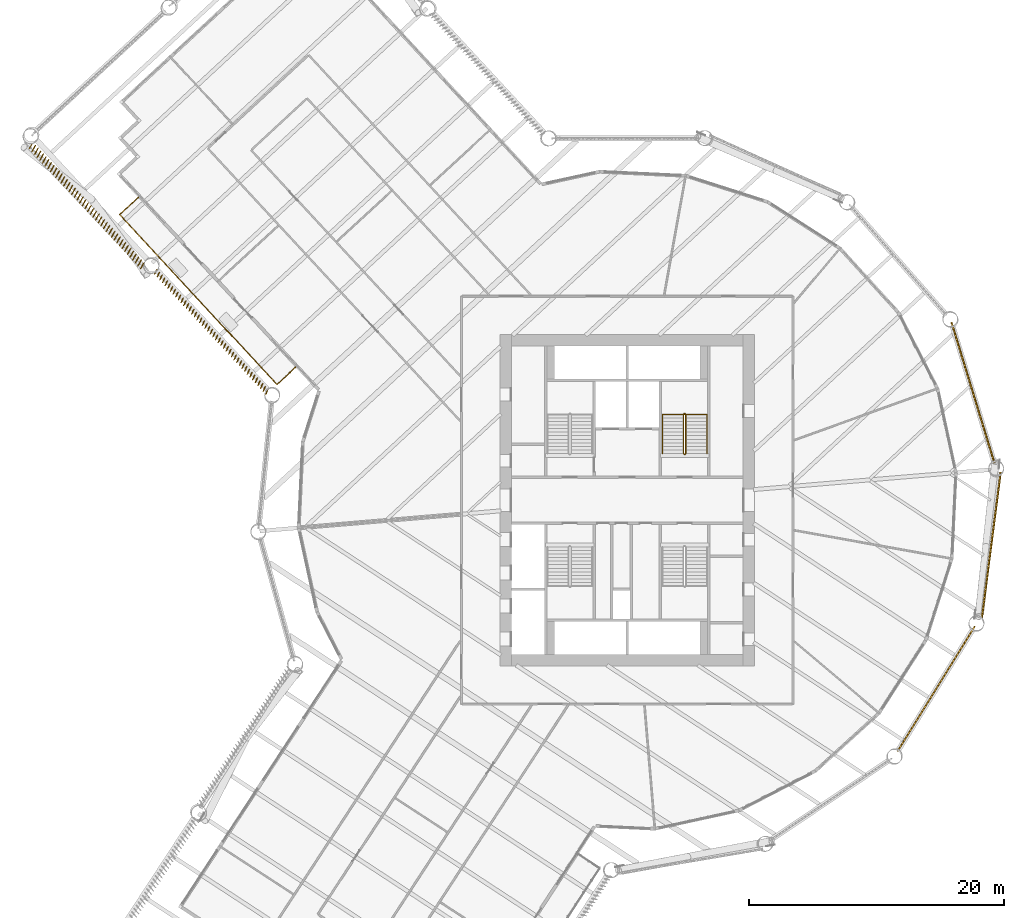
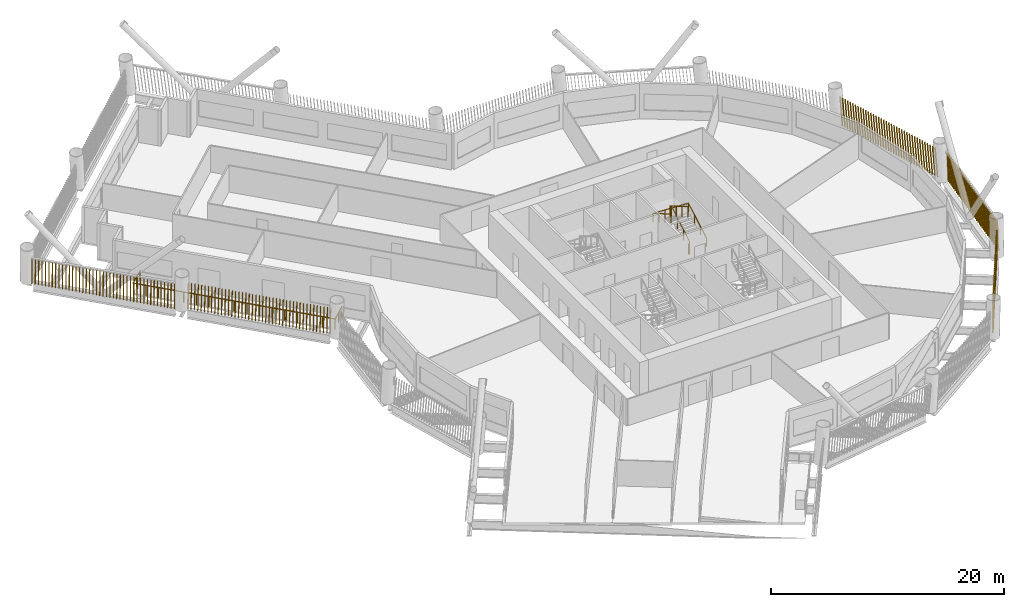
# One storey, part 20 of 22: 5 shading devices, 3 railings.
"""IFC4 building model written with IfcOpenShell, lengths in metres."""

from ifc_helpers import new_model, si_unit, direction, frame, frame_2d, origin, origin_2d, place, context, subcontext, project, spatial, rectangle, circle, composite_profile, extrude, material, type_object, element, save


model = new_model("IFC4")

# Units and contexts
model_context = context("Model", 3, precision=1e-05, world=origin(), true_north=direction((0.0, 1.0)))
body_context = subcontext(model_context, "Body", "Model", "MODEL_VIEW")
ifc_project = project(units=[si_unit("LENGTHUNIT", "METRE"), si_unit("AREAUNIT", "SQUARE_METRE"), si_unit("VOLUMEUNIT", "CUBIC_METRE"), si_unit("PLANEANGLEUNIT", "RADIAN"), si_unit("MASSUNIT", "GRAM", prefix="KILO")], contexts=[model_context])

# Site, building, storey
site_placement = place(None, origin())
site = spatial("IfcSite", under=ifc_project, at=site_placement, CompositionType="ELEMENT")
building_placement = place(site_placement, origin())
building = spatial("IfcBuilding", under=site, at=building_placement, Name="Tarsis Ring Headquarters", CompositionType="ELEMENT")
storey_placement = place(building_placement, frame((0.0, 0.0, 63.39990234375)))
storey = spatial("IfcBuildingStorey", under=building, at=storey_placement, Name="L13", CompositionType="ELEMENT", Elevation=63.39990234375)

# Railings
ifc_material_1 = material(Name="Stainless steel guard", Category="steel")
railing_type_1 = type_object("IfcRailingType", Name="Balcony balustrade with mesh infill 1100", PredefinedType="BALUSTRADE", material=ifc_material_1)
railing_1_placement = place(storey_placement, frame((-38.3603515625, 23.763916015625, 0.0)))
element("IfcRailing", 1, at=railing_1_placement, inside=storey, type_object=railing_type_1, Name="Balcony balustrade L13-01", PredefinedType="BALUSTRADE", context=body_context, shape_type="SweptSolid", body=[
    extrude(circle(Radius=0.030029296875, at=origin_2d()), frame((0.0, 0.0, 1.070068359375), z_axis=(-0.733744897063, -0.679425070213, 0.0), x_axis=(0.679425070213, -0.733744897063, 0.0)), (0.0, 0.0, 1.0), 2.0),
    extrude(circle(Radius=0.030029296875, at=origin_2d()), frame((-1.467529296875, -1.35888671875, 1.070068359375), z_axis=(0.679439911934, -0.73373115381, 0.0), x_axis=(0.73373115381, 0.679439911934, 0.0)), (0.0, 0.0, 1.0), 18.171875),
    extrude(circle(Radius=0.030029296875, at=origin_2d()), frame((10.879150390625, -14.692138671875, 1.070068359375), z_axis=(0.733744897063, 0.679425070213, 0.0), x_axis=(-0.679425070213, 0.733744897063, 0.0)), (0.0, 0.0, 1.0), 2.0),
    extrude(circle(Radius=0.02490234375, at=origin_2d()), origin(), (0.0, 0.0, 1.0), 1.0400390625),
    extrude(circle(Radius=0.02490234375, at=origin_2d()), frame((-0.73388671875, -0.679443359375, 0.0)), (0.0, 0.0, 1.0), 1.0400390625),
    extrude(circle(Radius=0.02490234375, at=origin_2d()), frame((-1.467529296875, -1.35888671875, 0.0)), (0.0, 0.0, 1.0), 1.0400390625),
    extrude(circle(Radius=0.02490234375, at=origin_2d()), frame((-0.69580078125, -2.192138671875, 0.0)), (0.0, 0.0, 1.0), 1.0400390625),
    extrude(circle(Radius=0.02490234375, at=origin_2d()), frame((0.07568359375, -3.025634765625, 0.0)), (0.0, 0.0, 1.0), 1.0400390625),
    extrude(circle(Radius=0.02490234375, at=origin_2d()), frame((0.847412109375, -3.85888671875, 0.0)), (0.0, 0.0, 1.0), 1.0400390625),
    extrude(circle(Radius=0.02490234375, at=origin_2d()), frame((1.619140625, -4.692138671875, 0.0)), (0.0, 0.0, 1.0), 1.0400390625),
    extrude(circle(Radius=0.02490234375, at=origin_2d()), frame((2.390869140625, -5.525634765625, 0.0)), (0.0, 0.0, 1.0), 1.0400390625),
    extrude(circle(Radius=0.02490234375, at=origin_2d()), frame((3.16259765625, -6.35888671875, 0.0)), (0.0, 0.0, 1.0), 1.0400390625),
    extrude(circle(Radius=0.02490234375, at=origin_2d()), frame((3.93408203125, -7.192138671875, 0.0)), (0.0, 0.0, 1.0), 1.0400390625),
    extrude(circle(Radius=0.02490234375, at=origin_2d()), frame((4.705810546875, -8.025390625, 0.0)), (0.0, 0.0, 1.0), 1.0400390625),
    extrude(circle(Radius=0.02490234375, at=origin_2d()), frame((5.4775390625, -8.85888671875, 0.0)), (0.0, 0.0, 1.0), 1.0400390625),
    extrude(circle(Radius=0.02490234375, at=origin_2d()), frame((6.2490234375, -9.692138671875, 0.0)), (0.0, 0.0, 1.0), 1.0400390625),
    extrude(circle(Radius=0.02490234375, at=origin_2d()), frame((7.020751953125, -10.525390625, 0.0)), (0.0, 0.0, 1.0), 1.0400390625),
    extrude(circle(Radius=0.02490234375, at=origin_2d()), frame((7.79248046875, -11.35888671875, 0.0)), (0.0, 0.0, 1.0), 1.0400390625),
    extrude(circle(Radius=0.02490234375, at=origin_2d()), frame((8.564208984375, -12.192138671875, 0.0)), (0.0, 0.0, 1.0), 1.0400390625),
    extrude(circle(Radius=0.02490234375, at=origin_2d()), frame((9.3359375, -13.025390625, 0.0)), (0.0, 0.0, 1.0), 1.0400390625),
    extrude(circle(Radius=0.02490234375, at=origin_2d()), frame((10.107421875, -13.85888671875, 0.0)), (0.0, 0.0, 1.0), 1.0400390625),
    extrude(circle(Radius=0.02490234375, at=origin_2d()), frame((10.879150390625, -14.692138671875, 0.0)), (0.0, 0.0, 1.0), 1.0400390625),
    extrude(circle(Radius=0.02490234375, at=origin_2d()), frame((11.61279296875, -14.0126953125, 0.0)), (0.0, 0.0, 1.0), 1.0400390625),
    extrude(circle(Radius=0.02490234375, at=origin_2d()), frame((12.3466796875, -13.333251953125, 0.0)), (0.0, 0.0, 1.0), 1.0400390625),
])
ifc_material_2 = material(Name="Steel S355", Category="steel")
railing_type_2 = type_object("IfcRailingType", Name="Core stair guard 1100", PredefinedType="GUARDRAIL", material=ifc_material_2)
railing_2_placement = place(storey_placement, frame((4.4599609375, 3.610107421875, 0.0)))
element("IfcRailing", 2, at=railing_2_placement, inside=storey, type_object=railing_type_2, Name="L13 ST2 stair guard 1", PredefinedType="GUARDRAIL", context=body_context, shape_type="SweptSolid", body=[
    extrude(circle(Radius=0.02392578125, at=origin_2d()), frame((0.0, 0.0, 1.076171875), z_axis=(1.0, 0.0, 0.0), x_axis=(0.0, 1.0, 0.0)), (0.0, 0.0, 1.0), 0.080078125),
    extrude(circle(Radius=0.02392578125, at=origin_2d()), frame((0.080078125, 0.0, 1.076171875), z_axis=(0.282336740067, 0.280959487676, 0.917250092119), x_axis=(-0.705375805398, 0.708833529934, 0.0)), (0.0, 0.0, 1.0), 0.17724609375),
    extrude(circle(Radius=0.02392578125, at=origin_2d()), frame((0.130126953125, 0.0498046875, 1.23876953125), z_axis=(0.0, 0.864890721111, 0.501960198159), x_axis=(-1.0, 0.0, 0.0)), (0.0, 0.0, 1.0), 3.561279296875),
    extrude(circle(Radius=0.02392578125, at=origin_2d()), frame((0.130126953125, 3.1298828125, 3.0263671875), z_axis=(-0.707106781187, 0.707106781187, 0.0), x_axis=(-0.707106781187, -0.707106781187, 0.0)), (0.0, 0.0, 1.0), 0.07080078125),
    extrude(circle(Radius=0.02392578125, at=origin_2d()), frame((0.080078125, 3.179931640625, 3.0263671875), z_axis=(-1.0, 0.0, 0.0), x_axis=(0.0, -1.0, 0.0)), (0.0, 0.0, 1.0), 0.080078125),
    extrude(circle(Radius=0.02392578125, at=origin_2d()), frame((0.0, 3.179931640625, 3.0263671875), z_axis=(-0.282583949758, -0.282583949758, 0.916674763849), x_axis=(0.707106781187, -0.707106781187, 0.0)), (0.0, 0.0, 1.0), 0.177001953125),
    extrude(circle(Radius=0.02392578125, at=origin_2d()), frame((-0.050048828125, 3.1298828125, 3.1884765625), z_axis=(0.0, -0.864890721111, 0.501960198159), x_axis=(1.0, 0.0, 0.0)), (0.0, 0.0, 1.0), 3.561279296875),
    extrude(circle(Radius=0.02099609375, at=origin_2d()), origin(), (0.0, 0.0, 1.0), 1.052001953125),
    extrude(circle(Radius=0.02099609375, at=origin_2d()), frame((0.080078125, 0.0, 0.0)), (0.0, 0.0, 1.0), 1.052001953125),
    extrude(circle(Radius=0.02099609375, at=origin_2d()), frame((0.130126953125, 0.0498046875, 0.16259765625)), (0.0, 0.0, 1.0), 1.052001953125),
    extrude(circle(Radius=0.02099609375, at=origin_2d()), frame((0.130126953125, 1.076416015625, 0.758544921875)), (0.0, 0.0, 1.0), 1.052001953125),
    extrude(circle(Radius=0.02099609375, at=origin_2d()), frame((0.130126953125, 2.103271484375, 1.354248046875)), (0.0, 0.0, 1.0), 1.052001953125),
    extrude(circle(Radius=0.02099609375, at=origin_2d()), frame((0.130126953125, 3.1298828125, 1.9501953125)), (0.0, 0.0, 1.0), 1.052001953125),
    extrude(circle(Radius=0.02099609375, at=origin_2d()), frame((0.080078125, 3.179931640625, 1.9501953125)), (0.0, 0.0, 1.0), 1.052001953125),
    extrude(circle(Radius=0.02099609375, at=origin_2d()), frame((0.0, 3.179931640625, 1.9501953125)), (0.0, 0.0, 1.0), 1.052001953125),
    extrude(circle(Radius=0.02099609375, at=origin_2d()), frame((-0.050048828125, 3.1298828125, 2.112548828125)), (0.0, 0.0, 1.0), 1.052001953125),
    extrude(circle(Radius=0.02099609375, at=origin_2d()), frame((-0.050048828125, 2.103271484375, 2.70849609375)), (0.0, 0.0, 1.0), 1.052001953125),
    extrude(circle(Radius=0.02099609375, at=origin_2d()), frame((-0.050048828125, 1.076416015625, 3.30419921875)), (0.0, 0.0, 1.0), 1.052001953125),
    extrude(circle(Radius=0.02099609375, at=origin_2d()), frame((-0.050048828125, 0.0498046875, 3.900146484375)), (0.0, 0.0, 1.0), 1.052001953125),
])
railing_type_3 = type_object("IfcRailingType", Name="Core stair handrail 900", PredefinedType="HANDRAIL", material=ifc_material_2)
railing_3_placement = place(storey_placement, frame((6.25, 3.659912109375, 0.16259765625)))
element("IfcRailing", 3, at=railing_3_placement, inside=storey, type_object=railing_type_3, Name="L13 ST2 stair handrail 1", PredefinedType="HANDRAIL", context=body_context, shape_type="SweptSolid", body=[
    extrude(circle(Radius=0.02392578125, at=origin_2d()), frame((0.0, 0.0, 0.8759765625), z_axis=(0.0, 0.864890721111, 0.501960198159), x_axis=(-1.0, 0.0, 0.0)), (0.0, 0.0, 1.0), 3.561279296875),
    extrude(circle(Radius=0.02392578125, at=origin_2d()), frame((0.0, 3.080078125, 2.66357421875), z_axis=(-0.998925869279, 0.0, 0.04633689335), x_axis=(0.0, -1.0, 0.0)), (0.0, 0.0, 1.0), 3.503662109375),
    extrude(circle(Radius=0.02392578125, at=origin_2d()), frame((-3.5, 3.080078125, 2.82568359375), z_axis=(0.0, -0.864890721111, 0.501960198159), x_axis=(1.0, 0.0, 0.0)), (0.0, 0.0, 1.0), 3.561279296875),
    extrude(circle(Radius=0.02099609375, at=origin_2d()), origin(), (0.0, 0.0, 1.0), 0.851806640625),
    extrude(circle(Radius=0.02099609375, at=origin_2d()), frame((0.0, 1.026611328125, 0.595947265625)), (0.0, 0.0, 1.0), 0.851806640625),
    extrude(circle(Radius=0.02099609375, at=origin_2d()), frame((0.0, 2.053466796875, 1.191650390625)), (0.0, 0.0, 1.0), 0.851806640625),
    extrude(circle(Radius=0.02099609375, at=origin_2d()), frame((0.0, 3.080078125, 1.78759765625)), (0.0, 0.0, 1.0), 0.851806640625),
    extrude(circle(Radius=0.02099609375, at=origin_2d()), frame((-1.166748046875, 3.080078125, 1.841796875)), (0.0, 0.0, 1.0), 0.851806640625),
    extrude(circle(Radius=0.02099609375, at=origin_2d()), frame((-2.333251953125, 3.080078125, 1.895751953125)), (0.0, 0.0, 1.0), 0.851806640625),
    extrude(circle(Radius=0.02099609375, at=origin_2d()), frame((-3.5, 3.080078125, 1.949951171875)), (0.0, 0.0, 1.0), 0.851806640625),
    extrude(circle(Radius=0.02099609375, at=origin_2d()), frame((-3.5, 2.053466796875, 2.5458984375)), (0.0, 0.0, 1.0), 0.851806640625),
    extrude(circle(Radius=0.02099609375, at=origin_2d()), frame((-3.5, 1.026611328125, 3.1416015625)), (0.0, 0.0, 1.0), 0.851806640625),
    extrude(circle(Radius=0.02099609375, at=origin_2d()), frame((-3.5, 0.0, 3.737548828125)), (0.0, 0.0, 1.0), 0.851806640625),
])

# Shading devices
ifc_material_3 = material(Name="Terracotta baguette", Category="masonry")
shading_device_type = type_object("IfcShadingDeviceType", Name="Terracotta baguette screen", PredefinedType="USERDEFINED", material=ifc_material_3)
shading_device_1_placement = place(storey_placement, frame((21.198974609375, -19.71142578125, 0.0), z_axis=(0.0, 0.0, 1.0), x_axis=(0.525686380901, 0.850678241997, 0.0)))
element("IfcShadingDevice", 4, at=shading_device_1_placement, inside=storey, type_object=shading_device_type, Name="Baguette screen L13-09", ObjectType="Terracotta baguette screen", PredefinedType="USERDEFINED", context=body_context, shape_type="SweptSolid", body=[
    extrude(composite_profile([rectangle(XDim=0.06005859375, YDim=0.1201171875, at=frame_2d((0.030029296875, 0.0))), rectangle(XDim=0.06005859375, YDim=0.1201171875, at=frame_2d((0.33251953125, 0.0))), rectangle(XDim=0.06005859375, YDim=0.1201171875, at=frame_2d((0.634765625, 0.0))), rectangle(XDim=0.06005859375, YDim=0.1201171875, at=frame_2d((0.937255859375, 0.0))), rectangle(XDim=0.06005859375, YDim=0.1201171875, at=frame_2d((1.239501953125, 0.0))), rectangle(XDim=0.06005859375, YDim=0.1201171875, at=frame_2d((1.5419921875, 0.0))), rectangle(XDim=0.06005859375, YDim=0.1201171875, at=frame_2d((1.844482421875, 0.0))), rectangle(XDim=0.06005859375, YDim=0.1201171875, at=frame_2d((2.146728515625, 0.0))), rectangle(XDim=0.06005859375, YDim=0.1201171875, at=frame_2d((2.44921875, 0.0))), rectangle(XDim=0.06005859375, YDim=0.1201171875, at=frame_2d((2.751708984375, 0.0))), rectangle(XDim=0.06005859375, YDim=0.1201171875, at=frame_2d((3.053955078125, 0.0))), rectangle(XDim=0.06005859375, YDim=0.1201171875, at=frame_2d((3.3564453125, 0.0))), rectangle(XDim=0.06005859375, YDim=0.1201171875, at=frame_2d((3.65869140625, 0.0))), rectangle(XDim=0.06005859375, YDim=0.1201171875, at=frame_2d((3.961181640625, 0.0))), rectangle(XDim=0.06005859375, YDim=0.1201171875, at=frame_2d((4.263671875, 0.0))), rectangle(XDim=0.06005859375, YDim=0.1201171875, at=frame_2d((4.56591796875, 0.0))), rectangle(XDim=0.06005859375, YDim=0.1201171875, at=frame_2d((4.868408203125, 0.0))), rectangle(XDim=0.06005859375, YDim=0.1201171875, at=frame_2d((5.1708984375, 0.0))), rectangle(XDim=0.06005859375, YDim=0.1201171875, at=frame_2d((5.47314453125, 0.0))), rectangle(XDim=0.06005859375, YDim=0.1201171875, at=frame_2d((5.775634765625, 0.0))), rectangle(XDim=0.06005859375, YDim=0.1201171875, at=frame_2d((6.077880859375, 0.0))), rectangle(XDim=0.06005859375, YDim=0.1201171875, at=frame_2d((6.38037109375, 0.0))), rectangle(XDim=0.06005859375, YDim=0.1201171875, at=frame_2d((6.682861328125, 0.0))), rectangle(XDim=0.06005859375, YDim=0.1201171875, at=frame_2d((6.985107421875, 0.0))), rectangle(XDim=0.06005859375, YDim=0.1201171875, at=frame_2d((7.28759765625, 0.0))), rectangle(XDim=0.06005859375, YDim=0.1201171875, at=frame_2d((7.590087890625, 0.0))), rectangle(XDim=0.06005859375, YDim=0.1201171875, at=frame_2d((7.892333984375, 0.0))), rectangle(XDim=0.06005859375, YDim=0.1201171875, at=frame_2d((8.19482421875, 0.0))), rectangle(XDim=0.06005859375, YDim=0.1201171875, at=frame_2d((8.4970703125, 0.0))), rectangle(XDim=0.06005859375, YDim=0.1201171875, at=frame_2d((8.799560546875, 0.0))), rectangle(XDim=0.06005859375, YDim=0.1201171875, at=frame_2d((9.10205078125, 0.0))), rectangle(XDim=0.06005859375, YDim=0.1201171875, at=frame_2d((9.404296875, 0.0))), rectangle(XDim=0.06005859375, YDim=0.1201171875, at=frame_2d((9.706787109375, 0.0))), rectangle(XDim=0.06005859375, YDim=0.1201171875, at=frame_2d((10.00927734375, 0.0))), rectangle(XDim=0.06005859375, YDim=0.1201171875, at=frame_2d((10.3115234375, 0.0))), rectangle(XDim=0.06005859375, YDim=0.1201171875, at=frame_2d((10.614013671875, 0.0))), rectangle(XDim=0.06005859375, YDim=0.1201171875, at=frame_2d((10.916259765625, 0.0))), rectangle(XDim=0.06005859375, YDim=0.1201171875, at=frame_2d((11.21875, 0.0)))]), origin(), (0.100200545597, 0.000526108941, 0.994967122005), 2.967529296875),
])
shading_device_2_placement = place(storey_placement, frame((27.811279296875, -9.26904296875, 0.0), z_axis=(0.0, 0.0, 1.0), x_axis=(0.128290830168, 0.991730873576, 0.0)))
element("IfcShadingDevice", 5, at=shading_device_2_placement, inside=storey, type_object=shading_device_type, Name="Baguette screen L13-10", ObjectType="Terracotta baguette screen", PredefinedType="USERDEFINED", context=body_context, shape_type="SweptSolid", body=[
    extrude(composite_profile([rectangle(XDim=0.06005859375, YDim=0.1201171875, at=frame_2d((0.030029296875, 0.0))), rectangle(XDim=0.06005859375, YDim=0.1201171875, at=frame_2d((0.33251953125, 0.0))), rectangle(XDim=0.06005859375, YDim=0.1201171875, at=frame_2d((0.634765625, 0.0))), rectangle(XDim=0.06005859375, YDim=0.1201171875, at=frame_2d((0.937255859375, 0.0))), rectangle(XDim=0.06005859375, YDim=0.1201171875, at=frame_2d((1.239501953125, 0.0))), rectangle(XDim=0.06005859375, YDim=0.1201171875, at=frame_2d((1.5419921875, 0.0))), rectangle(XDim=0.06005859375, YDim=0.1201171875, at=frame_2d((1.844482421875, 0.0))), rectangle(XDim=0.06005859375, YDim=0.1201171875, at=frame_2d((2.146728515625, 0.0))), rectangle(XDim=0.06005859375, YDim=0.1201171875, at=frame_2d((2.44921875, 0.0))), rectangle(XDim=0.06005859375, YDim=0.1201171875, at=frame_2d((2.751708984375, 0.0))), rectangle(XDim=0.06005859375, YDim=0.1201171875, at=frame_2d((3.053955078125, 0.0))), rectangle(XDim=0.06005859375, YDim=0.1201171875, at=frame_2d((3.3564453125, 0.0))), rectangle(XDim=0.06005859375, YDim=0.1201171875, at=frame_2d((3.65869140625, 0.0))), rectangle(XDim=0.06005859375, YDim=0.1201171875, at=frame_2d((3.961181640625, 0.0))), rectangle(XDim=0.06005859375, YDim=0.1201171875, at=frame_2d((4.263671875, 0.0))), rectangle(XDim=0.06005859375, YDim=0.1201171875, at=frame_2d((4.56591796875, 0.0))), rectangle(XDim=0.06005859375, YDim=0.1201171875, at=frame_2d((4.868408203125, 0.0))), rectangle(XDim=0.06005859375, YDim=0.1201171875, at=frame_2d((5.1708984375, 0.0))), rectangle(XDim=0.06005859375, YDim=0.1201171875, at=frame_2d((5.47314453125, 0.0))), rectangle(XDim=0.06005859375, YDim=0.1201171875, at=frame_2d((5.775634765625, 0.0))), rectangle(XDim=0.06005859375, YDim=0.1201171875, at=frame_2d((6.077880859375, 0.0))), rectangle(XDim=0.06005859375, YDim=0.1201171875, at=frame_2d((6.38037109375, 0.0))), rectangle(XDim=0.06005859375, YDim=0.1201171875, at=frame_2d((6.682861328125, 0.0))), rectangle(XDim=0.06005859375, YDim=0.1201171875, at=frame_2d((6.985107421875, 0.0))), rectangle(XDim=0.06005859375, YDim=0.1201171875, at=frame_2d((7.28759765625, 0.0))), rectangle(XDim=0.06005859375, YDim=0.1201171875, at=frame_2d((7.590087890625, 0.0))), rectangle(XDim=0.06005859375, YDim=0.1201171875, at=frame_2d((7.892333984375, 0.0))), rectangle(XDim=0.06005859375, YDim=0.1201171875, at=frame_2d((8.19482421875, 0.0))), rectangle(XDim=0.06005859375, YDim=0.1201171875, at=frame_2d((8.4970703125, 0.0))), rectangle(XDim=0.06005859375, YDim=0.1201171875, at=frame_2d((8.799560546875, 0.0))), rectangle(XDim=0.06005859375, YDim=0.1201171875, at=frame_2d((9.10205078125, 0.0))), rectangle(XDim=0.06005859375, YDim=0.1201171875, at=frame_2d((9.404296875, 0.0))), rectangle(XDim=0.06005859375, YDim=0.1201171875, at=frame_2d((9.706787109375, 0.0))), rectangle(XDim=0.06005859375, YDim=0.1201171875, at=frame_2d((10.00927734375, 0.0))), rectangle(XDim=0.06005859375, YDim=0.1201171875, at=frame_2d((10.3115234375, 0.0))), rectangle(XDim=0.06005859375, YDim=0.1201171875, at=frame_2d((10.614013671875, 0.0))), rectangle(XDim=0.06005859375, YDim=0.1201171875, at=frame_2d((10.916259765625, 0.0))), rectangle(XDim=0.06005859375, YDim=0.1201171875, at=frame_2d((11.21875, 0.0)))]), origin(), (0.101509777194, 0.000530876847, 0.99483439994), 2.968017578125),
])
shading_device_3_placement = place(storey_placement, frame((28.80078125, 2.908935546875, 0.0), z_axis=(0.0, 0.0, 1.0), x_axis=(-0.291887316607, 0.956441531383, 0.0)))
element("IfcShadingDevice", 6, at=shading_device_3_placement, inside=storey, type_object=shading_device_type, Name="Baguette screen L13-11", ObjectType="Terracotta baguette screen", PredefinedType="USERDEFINED", context=body_context, shape_type="SweptSolid", body=[
    extrude(composite_profile([rectangle(XDim=0.06005859375, YDim=0.1201171875, at=frame_2d((0.030029296875, 0.0))), rectangle(XDim=0.06005859375, YDim=0.1201171875, at=frame_2d((0.33251953125, 0.0))), rectangle(XDim=0.06005859375, YDim=0.1201171875, at=frame_2d((0.634765625, 0.0))), rectangle(XDim=0.06005859375, YDim=0.1201171875, at=frame_2d((0.937255859375, 0.0))), rectangle(XDim=0.06005859375, YDim=0.1201171875, at=frame_2d((1.239501953125, 0.0))), rectangle(XDim=0.06005859375, YDim=0.1201171875, at=frame_2d((1.5419921875, 0.0))), rectangle(XDim=0.06005859375, YDim=0.1201171875, at=frame_2d((1.844482421875, 0.0))), rectangle(XDim=0.06005859375, YDim=0.1201171875, at=frame_2d((2.146728515625, 0.0))), rectangle(XDim=0.06005859375, YDim=0.1201171875, at=frame_2d((2.44921875, 0.0))), rectangle(XDim=0.06005859375, YDim=0.1201171875, at=frame_2d((2.751708984375, 0.0))), rectangle(XDim=0.06005859375, YDim=0.1201171875, at=frame_2d((3.053955078125, 0.0))), rectangle(XDim=0.06005859375, YDim=0.1201171875, at=frame_2d((3.3564453125, 0.0))), rectangle(XDim=0.06005859375, YDim=0.1201171875, at=frame_2d((3.65869140625, 0.0))), rectangle(XDim=0.06005859375, YDim=0.1201171875, at=frame_2d((3.961181640625, 0.0))), rectangle(XDim=0.06005859375, YDim=0.1201171875, at=frame_2d((4.263671875, 0.0))), rectangle(XDim=0.06005859375, YDim=0.1201171875, at=frame_2d((4.56591796875, 0.0))), rectangle(XDim=0.06005859375, YDim=0.1201171875, at=frame_2d((4.868408203125, 0.0))), rectangle(XDim=0.06005859375, YDim=0.1201171875, at=frame_2d((5.1708984375, 0.0))), rectangle(XDim=0.06005859375, YDim=0.1201171875, at=frame_2d((5.47314453125, 0.0))), rectangle(XDim=0.06005859375, YDim=0.1201171875, at=frame_2d((5.775634765625, 0.0))), rectangle(XDim=0.06005859375, YDim=0.1201171875, at=frame_2d((6.077880859375, 0.0))), rectangle(XDim=0.06005859375, YDim=0.1201171875, at=frame_2d((6.38037109375, 0.0))), rectangle(XDim=0.06005859375, YDim=0.1201171875, at=frame_2d((6.682861328125, 0.0))), rectangle(XDim=0.06005859375, YDim=0.1201171875, at=frame_2d((6.985107421875, 0.0))), rectangle(XDim=0.06005859375, YDim=0.1201171875, at=frame_2d((7.28759765625, 0.0))), rectangle(XDim=0.06005859375, YDim=0.1201171875, at=frame_2d((7.590087890625, 0.0))), rectangle(XDim=0.06005859375, YDim=0.1201171875, at=frame_2d((7.892333984375, 0.0))), rectangle(XDim=0.06005859375, YDim=0.1201171875, at=frame_2d((8.19482421875, 0.0))), rectangle(XDim=0.06005859375, YDim=0.1201171875, at=frame_2d((8.4970703125, 0.0))), rectangle(XDim=0.06005859375, YDim=0.1201171875, at=frame_2d((8.799560546875, 0.0))), rectangle(XDim=0.06005859375, YDim=0.1201171875, at=frame_2d((9.10205078125, 0.0))), rectangle(XDim=0.06005859375, YDim=0.1201171875, at=frame_2d((9.404296875, 0.0))), rectangle(XDim=0.06005859375, YDim=0.1201171875, at=frame_2d((9.706787109375, 0.0))), rectangle(XDim=0.06005859375, YDim=0.1201171875, at=frame_2d((10.00927734375, 0.0))), rectangle(XDim=0.06005859375, YDim=0.1201171875, at=frame_2d((10.3115234375, 0.0))), rectangle(XDim=0.06005859375, YDim=0.1201171875, at=frame_2d((10.614013671875, 0.0))), rectangle(XDim=0.06005859375, YDim=0.1201171875, at=frame_2d((10.916259765625, 0.0))), rectangle(XDim=0.06005859375, YDim=0.1201171875, at=frame_2d((11.21875, 0.0)))]), origin(), (0.100199308551, 0.000524895268, 0.994967247225), 2.967529296875),
])
shading_device_4_placement = place(storey_placement, frame((-46.669189453125, 28.0634765625, 0.0), z_axis=(0.0, 0.0, 1.0), x_axis=(0.679439146231, -0.733726914926, 0.0)))
element("IfcShadingDevice", 7, at=shading_device_4_placement, inside=storey, type_object=shading_device_type, Name="Baguette screen L13-19", ObjectType="Terracotta baguette screen", PredefinedType="USERDEFINED", context=body_context, shape_type="SweptSolid", body=[
    extrude(composite_profile([rectangle(XDim=0.06005859375, YDim=0.1201171875, at=frame_2d((0.030029296875, 0.0))), rectangle(XDim=0.06005859375, YDim=0.1201171875, at=frame_2d((0.335693359375, 0.0))), rectangle(XDim=0.06005859375, YDim=0.1201171875, at=frame_2d((0.6416015625, 0.0))), rectangle(XDim=0.06005859375, YDim=0.1201171875, at=frame_2d((0.947265625, 0.0))), rectangle(XDim=0.06005859375, YDim=0.1201171875, at=frame_2d((1.253173828125, 0.0))), rectangle(XDim=0.06005859375, YDim=0.1201171875, at=frame_2d((1.558837890625, 0.0))), rectangle(XDim=0.06005859375, YDim=0.1201171875, at=frame_2d((1.864501953125, 0.0))), rectangle(XDim=0.06005859375, YDim=0.1201171875, at=frame_2d((2.17041015625, 0.0))), rectangle(XDim=0.06005859375, YDim=0.1201171875, at=frame_2d((2.47607421875, 0.0))), rectangle(XDim=0.06005859375, YDim=0.1201171875, at=frame_2d((2.781982421875, 0.0))), rectangle(XDim=0.06005859375, YDim=0.1201171875, at=frame_2d((3.087646484375, 0.0))), rectangle(XDim=0.06005859375, YDim=0.1201171875, at=frame_2d((3.393310546875, 0.0))), rectangle(XDim=0.06005859375, YDim=0.1201171875, at=frame_2d((3.69921875, 0.0))), rectangle(XDim=0.06005859375, YDim=0.1201171875, at=frame_2d((4.0048828125, 0.0))), rectangle(XDim=0.06005859375, YDim=0.1201171875, at=frame_2d((4.310791015625, 0.0))), rectangle(XDim=0.06005859375, YDim=0.1201171875, at=frame_2d((4.616455078125, 0.0))), rectangle(XDim=0.06005859375, YDim=0.1201171875, at=frame_2d((4.922119140625, 0.0))), rectangle(XDim=0.06005859375, YDim=0.1201171875, at=frame_2d((5.22802734375, 0.0))), rectangle(XDim=0.06005859375, YDim=0.1201171875, at=frame_2d((5.53369140625, 0.0))), rectangle(XDim=0.06005859375, YDim=0.1201171875, at=frame_2d((5.839599609375, 0.0))), rectangle(XDim=0.06005859375, YDim=0.1201171875, at=frame_2d((6.145263671875, 0.0))), rectangle(XDim=0.06005859375, YDim=0.1201171875, at=frame_2d((6.451171875, 0.0))), rectangle(XDim=0.06005859375, YDim=0.1201171875, at=frame_2d((6.7568359375, 0.0))), rectangle(XDim=0.06005859375, YDim=0.1201171875, at=frame_2d((7.0625, 0.0))), rectangle(XDim=0.06005859375, YDim=0.1201171875, at=frame_2d((7.368408203125, 0.0))), rectangle(XDim=0.06005859375, YDim=0.1201171875, at=frame_2d((7.674072265625, 0.0))), rectangle(XDim=0.06005859375, YDim=0.1201171875, at=frame_2d((7.97998046875, 0.0))), rectangle(XDim=0.06005859375, YDim=0.1201171875, at=frame_2d((8.28564453125, 0.0))), rectangle(XDim=0.06005859375, YDim=0.1201171875, at=frame_2d((8.59130859375, 0.0))), rectangle(XDim=0.06005859375, YDim=0.1201171875, at=frame_2d((8.897216796875, 0.0))), rectangle(XDim=0.06005859375, YDim=0.1201171875, at=frame_2d((9.202880859375, 0.0))), rectangle(XDim=0.06005859375, YDim=0.1201171875, at=frame_2d((9.5087890625, 0.0))), rectangle(XDim=0.06005859375, YDim=0.1201171875, at=frame_2d((9.814453125, 0.0))), rectangle(XDim=0.06005859375, YDim=0.1201171875, at=frame_2d((10.1201171875, 0.0))), rectangle(XDim=0.06005859375, YDim=0.1201171875, at=frame_2d((10.426025390625, 0.0))), rectangle(XDim=0.06005859375, YDim=0.1201171875, at=frame_2d((10.731689453125, 0.0))), rectangle(XDim=0.06005859375, YDim=0.1201171875, at=frame_2d((11.03759765625, 0.0))), rectangle(XDim=0.06005859375, YDim=0.1201171875, at=frame_2d((11.34326171875, 0.0))), rectangle(XDim=0.06005859375, YDim=0.1201171875, at=frame_2d((11.64892578125, 0.0))), rectangle(XDim=0.06005859375, YDim=0.1201171875, at=frame_2d((11.954833984375, 0.0))), rectangle(XDim=0.06005859375, YDim=0.1201171875, at=frame_2d((12.260498046875, 0.0))), rectangle(XDim=0.06005859375, YDim=0.1201171875, at=frame_2d((12.56640625, 0.0))), rectangle(XDim=0.06005859375, YDim=0.1201171875, at=frame_2d((12.8720703125, 0.0)))]), origin(), (0.053885665405, -0.159994521241, 0.985646025831), 2.99560546875),
])
shading_device_5_placement = place(storey_placement, frame((-36.9482421875, 18.117919921875, 0.0), z_axis=(0.0, 0.0, 1.0), x_axis=(0.679439146231, -0.733726914926, 0.0)))
element("IfcShadingDevice", 8, at=shading_device_5_placement, inside=storey, type_object=shading_device_type, Name="Baguette screen L13-20", ObjectType="Terracotta baguette screen", PredefinedType="USERDEFINED", context=body_context, shape_type="SweptSolid", body=[
    extrude(composite_profile([rectangle(XDim=0.06005859375, YDim=0.1201171875, at=frame_2d((0.030029296875, 0.0))), rectangle(XDim=0.06005859375, YDim=0.1201171875, at=frame_2d((0.335693359375, 0.0))), rectangle(XDim=0.06005859375, YDim=0.1201171875, at=frame_2d((0.6416015625, 0.0))), rectangle(XDim=0.06005859375, YDim=0.1201171875, at=frame_2d((0.947265625, 0.0))), rectangle(XDim=0.06005859375, YDim=0.1201171875, at=frame_2d((1.253173828125, 0.0))), rectangle(XDim=0.06005859375, YDim=0.1201171875, at=frame_2d((1.558837890625, 0.0))), rectangle(XDim=0.06005859375, YDim=0.1201171875, at=frame_2d((1.864501953125, 0.0))), rectangle(XDim=0.06005859375, YDim=0.1201171875, at=frame_2d((2.17041015625, 0.0))), rectangle(XDim=0.06005859375, YDim=0.1201171875, at=frame_2d((2.47607421875, 0.0))), rectangle(XDim=0.06005859375, YDim=0.1201171875, at=frame_2d((2.781982421875, 0.0))), rectangle(XDim=0.06005859375, YDim=0.1201171875, at=frame_2d((3.087646484375, 0.0))), rectangle(XDim=0.06005859375, YDim=0.1201171875, at=frame_2d((3.393310546875, 0.0))), rectangle(XDim=0.06005859375, YDim=0.1201171875, at=frame_2d((3.69921875, 0.0))), rectangle(XDim=0.06005859375, YDim=0.1201171875, at=frame_2d((4.0048828125, 0.0))), rectangle(XDim=0.06005859375, YDim=0.1201171875, at=frame_2d((4.310791015625, 0.0))), rectangle(XDim=0.06005859375, YDim=0.1201171875, at=frame_2d((4.616455078125, 0.0))), rectangle(XDim=0.06005859375, YDim=0.1201171875, at=frame_2d((4.922119140625, 0.0))), rectangle(XDim=0.06005859375, YDim=0.1201171875, at=frame_2d((5.22802734375, 0.0))), rectangle(XDim=0.06005859375, YDim=0.1201171875, at=frame_2d((5.53369140625, 0.0))), rectangle(XDim=0.06005859375, YDim=0.1201171875, at=frame_2d((5.839599609375, 0.0))), rectangle(XDim=0.06005859375, YDim=0.1201171875, at=frame_2d((6.145263671875, 0.0))), rectangle(XDim=0.06005859375, YDim=0.1201171875, at=frame_2d((6.451171875, 0.0))), rectangle(XDim=0.06005859375, YDim=0.1201171875, at=frame_2d((6.7568359375, 0.0))), rectangle(XDim=0.06005859375, YDim=0.1201171875, at=frame_2d((7.0625, 0.0))), rectangle(XDim=0.06005859375, YDim=0.1201171875, at=frame_2d((7.368408203125, 0.0))), rectangle(XDim=0.06005859375, YDim=0.1201171875, at=frame_2d((7.674072265625, 0.0))), rectangle(XDim=0.06005859375, YDim=0.1201171875, at=frame_2d((7.97998046875, 0.0))), rectangle(XDim=0.06005859375, YDim=0.1201171875, at=frame_2d((8.28564453125, 0.0))), rectangle(XDim=0.06005859375, YDim=0.1201171875, at=frame_2d((8.59130859375, 0.0))), rectangle(XDim=0.06005859375, YDim=0.1201171875, at=frame_2d((8.897216796875, 0.0))), rectangle(XDim=0.06005859375, YDim=0.1201171875, at=frame_2d((9.202880859375, 0.0))), rectangle(XDim=0.06005859375, YDim=0.1201171875, at=frame_2d((9.5087890625, 0.0))), rectangle(XDim=0.06005859375, YDim=0.1201171875, at=frame_2d((9.814453125, 0.0))), rectangle(XDim=0.06005859375, YDim=0.1201171875, at=frame_2d((10.1201171875, 0.0))), rectangle(XDim=0.06005859375, YDim=0.1201171875, at=frame_2d((10.426025390625, 0.0))), rectangle(XDim=0.06005859375, YDim=0.1201171875, at=frame_2d((10.731689453125, 0.0))), rectangle(XDim=0.06005859375, YDim=0.1201171875, at=frame_2d((11.03759765625, 0.0))), rectangle(XDim=0.06005859375, YDim=0.1201171875, at=frame_2d((11.34326171875, 0.0))), rectangle(XDim=0.06005859375, YDim=0.1201171875, at=frame_2d((11.64892578125, 0.0))), rectangle(XDim=0.06005859375, YDim=0.1201171875, at=frame_2d((11.954833984375, 0.0))), rectangle(XDim=0.06005859375, YDim=0.1201171875, at=frame_2d((12.260498046875, 0.0))), rectangle(XDim=0.06005859375, YDim=0.1201171875, at=frame_2d((12.56640625, 0.0))), rectangle(XDim=0.06005859375, YDim=0.1201171875, at=frame_2d((12.8720703125, 0.0)))]), origin(), (0.052673067614, -0.112155088475, 0.992293698497), 2.9755859375),
])

save(model, "model.ifc")
